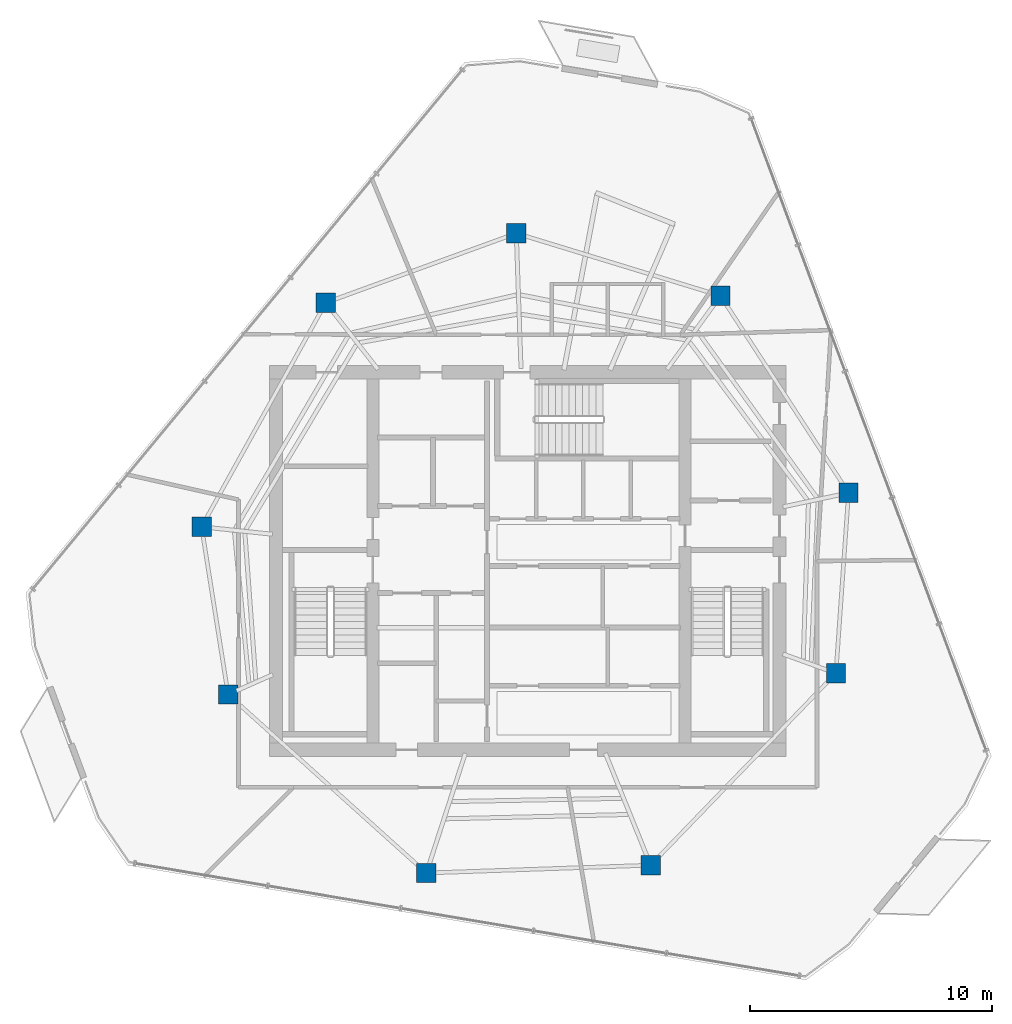
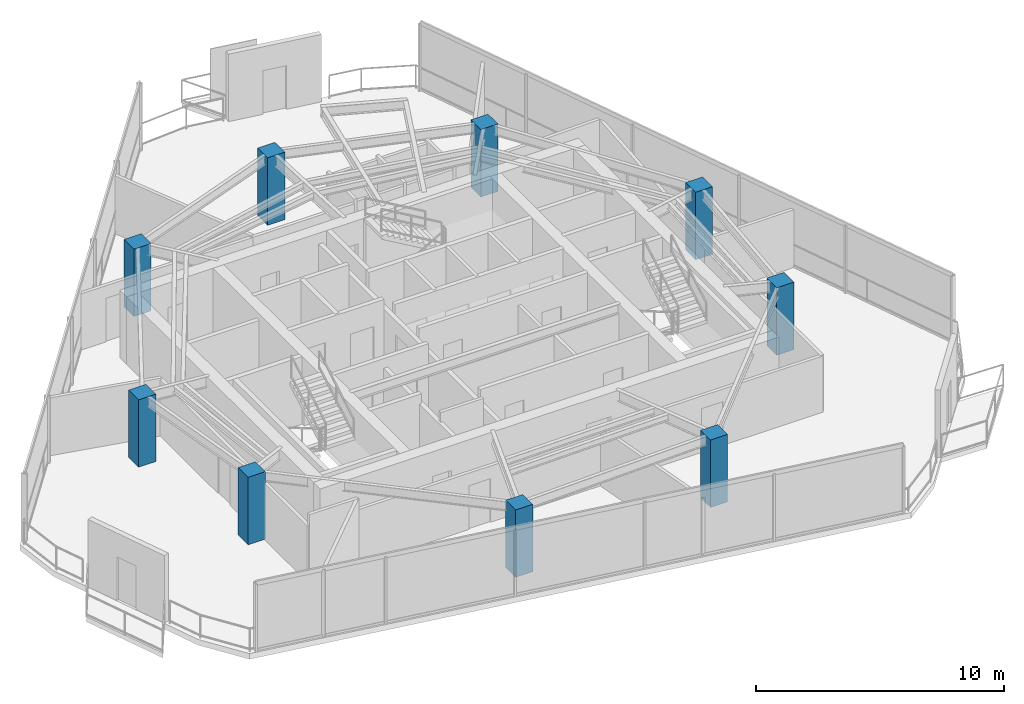
# One storey, part 1 of 19: 9 columns.
"""IFC4 building model written with IfcOpenShell, lengths in metres."""

from ifc_helpers import new_model, si_unit, direction, frame, origin, origin_2d, place, context, subcontext, project, spatial, rectangle, extrude, material, material_profile, profile_set, type_object, element, save


model = new_model("IFC4")

# Units and contexts
model_context = context("Model", 3, precision=1e-05, world=origin(), true_north=direction((0.0, 1.0)))
body_context = subcontext(model_context, "Body", "Model", "MODEL_VIEW")
ifc_project = project(units=[si_unit("LENGTHUNIT", "METRE"), si_unit("AREAUNIT", "SQUARE_METRE"), si_unit("VOLUMEUNIT", "CUBIC_METRE"), si_unit("PLANEANGLEUNIT", "RADIAN"), si_unit("MASSUNIT", "GRAM", prefix="KILO")], contexts=[model_context])

# Site, building, storey
site_placement = place(None, origin())
site = spatial("IfcSite", under=ifc_project, at=site_placement, CompositionType="ELEMENT")
building_placement = place(site_placement, origin())
building = spatial("IfcBuilding", under=site, at=building_placement, Name="Qarnah Convention Tower", CompositionType="ELEMENT")
storey_placement = place(building_placement, frame((0.0, 0.0, 257.10009765625)))
storey = spatial("IfcBuildingStorey", under=building, at=storey_placement, Name="L69", CompositionType="ELEMENT", Elevation=257.10009765625)

# Columns
ifc_material = material(Name="Concrete C50/60", Category="concrete")
ifc_material_profile = material_profile(ifc_material, rectangle(XDim=0.800048828125, YDim=0.800048828125, at=origin_2d()), Name="RC-COL-800X800")
ifc_profile_set = profile_set([ifc_material_profile], Name="Concrete C50/60")
column_type = type_object("IfcColumnType", Name="COL-Z5-800", PredefinedType="COLUMN", material=ifc_profile_set)
for number, where, z_axis, x_axis, name in (
    (1, (50.4541015625, 29.217041015625, 0.0), (0.0, 0.0, 1.0), (1.0, 0.0, 0.0), "L69 plumb column PC-Z5-01"),
    (2, (45.1640625, 37.362060546875, 0.0), (0.0, 0.0, 1.0), (1.0, 0.0, 0.0), "L69 plumb column PC-Z5-02"),
    (3, (36.72705078125, 39.94189453125, 0.0), (0.0, 0.0, 1.0), (1.0, 0.0, 0.0), "L69 plumb column PC-Z5-03"),
    (4, (28.85791015625, 37.077880859375, 0.0), (0.0, 0.0, 1.0), (1.0, 0.0, 0.0), "L69 plumb column PC-Z5-04"),
    (5, (23.72412109375, 27.81591796875, 0.0), (0.0, 0.0, 1.0), (1.0, 0.0, 0.0), "L69 plumb column PC-Z5-05"),
    (6, (24.821044921875, 20.888916015625, 0.0), (0.0, 0.0, 1.0), (1.0, 0.0, 0.0), "L69 plumb column PC-Z5-06"),
    (7, (33.012939453125, 13.512939453125, 0.0), (0.0, 0.0, 1.0), (1.0, 0.0, 0.0), "L69 plumb column PC-Z5-07"),
    (8, (42.27587890625, 13.8369140625, 0.0), (0.0, 0.0, 1.0), (1.0, 0.0, 0.0), "L69 plumb column PC-Z5-08"),
    (9, (49.93310546875, 21.76611328125, 0.0), (0.0, 0.0, 1.0), (1.0, 0.0, 0.0), "L69 plumb column PC-Z5-09"),
):
    element("IfcColumn", number, at=place(storey_placement, frame(where, z_axis=z_axis, x_axis=x_axis)), inside=storey, type_object=column_type, Name=name, PredefinedType="COLUMN", context=body_context, shape_type="SweptSolid", body=[
        extrude(rectangle(XDim=0.800048828125, YDim=0.800048828125, at=origin_2d()), origin(), (0.0, 0.0, 1.0), 3.31982421875),
    ])

save(model, "model.ifc")
